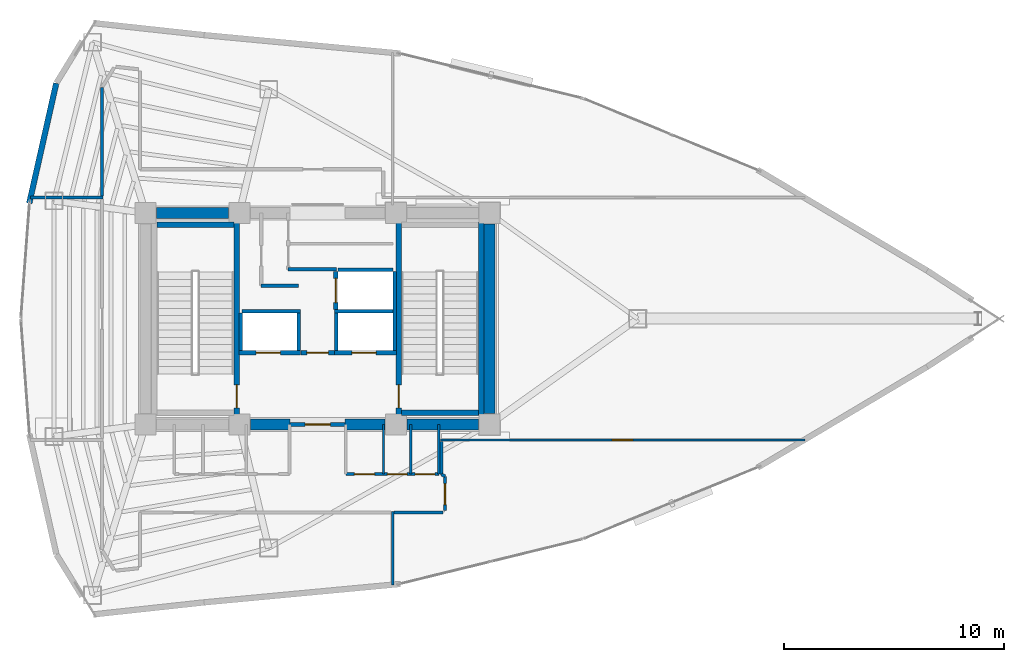
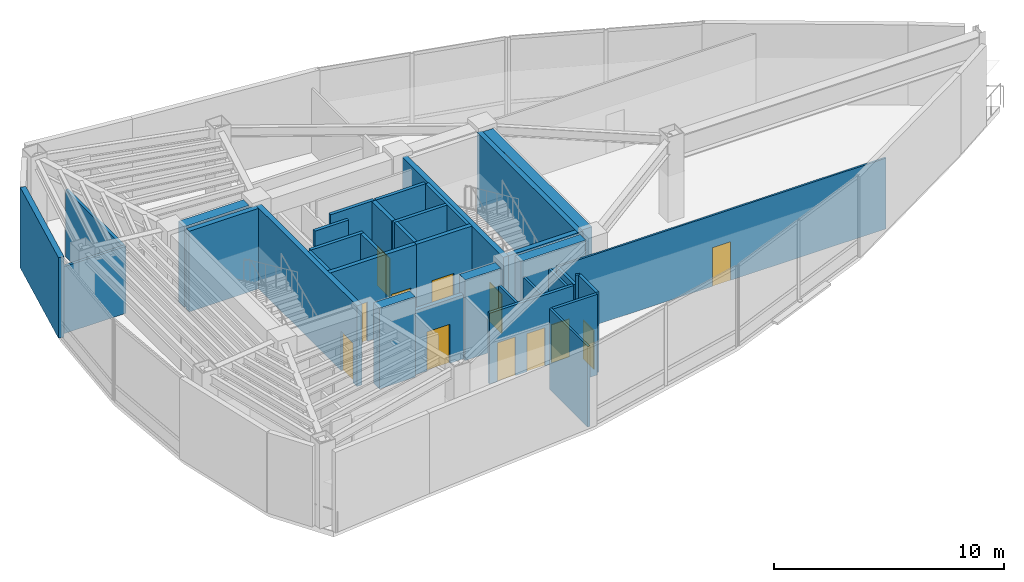
# One storey, part 14 of 17: 37 walls, 12 doors, 12 openings.
"""IFC4 building model written with IfcOpenShell, lengths in metres."""

from ifc_helpers import new_model, si_unit, direction, frame, frame_2d, origin, place, context, subcontext, project, spatial, rectangle, extrude, material, layer, layer_set, type_object, element, fill, save


model = new_model("IFC4")

# Units and contexts
model_context = context("Model", 3, precision=1e-05, world=origin(), true_north=direction((0.0, 1.0)))
body_context = subcontext(model_context, "Body", "Model", "MODEL_VIEW")
ifc_project = project(units=[si_unit("LENGTHUNIT", "METRE"), si_unit("AREAUNIT", "SQUARE_METRE"), si_unit("VOLUMEUNIT", "CUBIC_METRE"), si_unit("PLANEANGLEUNIT", "RADIAN"), si_unit("MASSUNIT", "GRAM", prefix="KILO")], contexts=[model_context])

# Site, building, storey
site_placement = place(None, origin())
site = spatial("IfcSite", under=ifc_project, at=site_placement, CompositionType="ELEMENT")
building_placement = place(site_placement, origin())
building = spatial("IfcBuilding", under=site, at=building_placement, Name="Menara Vayukalpa", CompositionType="ELEMENT")
storey_placement = place(building_placement, frame((0.0, 0.0, 242.639892578125)))
storey = spatial("IfcBuildingStorey", under=building, at=storey_placement, Name="L61", CompositionType="ELEMENT", Elevation=242.639892578125)

# Walls
ifc_material_1 = material(Name="Concrete C60/75", Category="concrete")
ifc_layer_1 = layer(ifc_material_1, 0.5)
ifc_layer_set_1 = layer_set([ifc_layer_1], Name="Concrete C60/75")
wall_type_1 = type_object("IfcWallType", Name="WAL-CW500", PredefinedType="SHEAR", material=ifc_layer_set_1)
wall_1_placement = place(storey_placement, frame((22.544921875, 17.199951171875, 0.0), z_axis=(0.0, 0.0, 1.0), x_axis=(1.0, 0.0, 0.0)))
element("IfcWall", 1, at=wall_1_placement, inside=storey, type_object=wall_type_1, Name="L61 Buttressed Core Shear Wall CWS2", PredefinedType="SHEAR", context=body_context, shape_type="SweptSolid", body=[
    extrude(rectangle(XDim=1.80517578125, YDim=0.5, at=frame_2d((0.902587890625, 0.0))), origin(), (0.0, 0.0, 1.0), 4.280029296875),
])
wall_2_placement = place(storey_placement, frame((26.85009765625, 17.199951171875, 0.0), z_axis=(0.0, 0.0, 1.0), x_axis=(1.0, 0.0, 0.0)))
element("IfcWall", 2, at=wall_2_placement, inside=storey, type_object=wall_type_1, Name="L61 Buttressed Core Shear Wall CWS3", PredefinedType="SHEAR", context=body_context, shape_type="SweptSolid", body=[
    extrude(rectangle(XDim=1.804931640625, YDim=0.5, at=frame_2d((0.90234375, 0.0))), origin(), (0.0, 0.0, 1.0), 4.280029296875),
])
for number, where, z_axis, x_axis, name in (
    (3, (29.64501953125, 17.199951171875, 0.0), (0.0, 0.0, 1.0), (1.0, 0.0, 0.0), "L61 Buttressed Core Shear Wall CWS4"),
    (4, (18.294921875, 26.800048828125, 0.0), (0.0, 0.0, 1.0), (1.0, 0.0, 0.0), "L61 Buttressed Core Shear Wall CWN1"),
):
    element("IfcWall", number, at=place(storey_placement, frame(where, z_axis=z_axis, x_axis=x_axis)), inside=storey, type_object=wall_type_1, Name=name, PredefinedType="SHEAR", context=body_context, shape_type="SweptSolid", body=[
        extrude(rectangle(XDim=3.260009765625, YDim=0.5, at=frame_2d((1.6298828125, 0.0))), origin(), (0.0, 0.0, 1.0), 4.280029296875),
    ])
wall_3_placement = place(storey_placement, frame((33.39990234375, 17.695068359375, 0.0), z_axis=(0.0, 0.0, 1.0), x_axis=(0.0, 1.0, 0.0)))
element("IfcWall", 5, at=wall_3_placement, inside=storey, type_object=wall_type_1, Name="L61 Buttressed Core Shear Wall CWE1", PredefinedType="SHEAR", context=body_context, shape_type="SweptSolid", body=[
    extrude(rectangle(XDim=8.60986328125, YDim=0.5, at=frame_2d((4.304931640625, 0.0))), origin(), (0.0, 0.0, 1.0), 4.280029296875),
])
ifc_material_2 = material(Name="Insulated Precast Concrete C40/50", Category="concrete")
ifc_layer_2 = layer(ifc_material_2, 0.260009765625)
ifc_layer_set_2 = layer_set([ifc_layer_2], Name="Insulated Precast Concrete C40/50")
wall_type_2 = type_object("IfcWallType", Name="WAL-EXT260", PredefinedType="PARTITIONING", material=ifc_layer_set_2)
wall_4_placement = place(storey_placement, frame((12.514892578125, 27.239501953125, 0.0), z_axis=(0.0, 0.0, 1.0), x_axis=(0.219510112872, 0.975610224601, 0.0)))
element("IfcWall", 6, at=wall_4_placement, inside=storey, type_object=wall_type_2, Name="L61 Perimeter Terracotta Pier Wall 09", PredefinedType="PARTITIONING", context=body_context, shape_type="SweptSolid", body=[
    extrude(rectangle(XDim=5.579833984375, YDim=0.260009765625, at=frame_2d((2.7900390625, 0.0))), origin(), (0.0, 0.0, 1.0), 4.280029296875),
])
ifc_material_3 = material(Name="Lightweight Concrete Blockwork C16/20", Category="masonry")
ifc_layer_3 = layer(ifc_material_3, 0.159912109375)
ifc_layer_set_3 = layer_set([ifc_layer_3], Name="Lightweight Concrete Blockwork C16/20")
wall_type_3 = type_object("IfcWallType", Name="WAL-FR150", PredefinedType="PARTITIONING", material=ifc_layer_set_3)
for number, where, z_axis, x_axis, name in (
    (7, (22.10498046875, 20.56005859375, 0.0), (0.0, 0.0, 1.0), (0.0, 1.0, 0.0), "L61 Interior Partition IW-L61-SHW-WW"),
    (8, (24.7548828125, 20.56005859375, 0.0), (0.0, 0.0, 1.0), (0.0, 1.0, 0.0), "L61 Interior Partition IW-L61-SHW-W1E"),
):
    element("IfcWall", number, at=place(storey_placement, frame(where, z_axis=z_axis, x_axis=x_axis)), inside=storey, type_object=wall_type_3, Name=name, PredefinedType="PARTITIONING", context=body_context, shape_type="SweptSolid", body=[
        extrude(rectangle(XDim=1.7099609375, YDim=0.159912109375, at=frame_2d((0.85498046875, 0.0))), origin(), (0.0, 0.0, 1.0), 4.280029296875),
    ])
wall_5_placement = place(storey_placement, frame((22.179931640625, 22.344970703125, 0.0), z_axis=(0.0, 0.0, 1.0), x_axis=(1.0, 0.0, 0.0)))
element("IfcWall", 9, at=wall_5_placement, inside=storey, type_object=wall_type_3, Name="L61 Interior Partition IW-L61-SHM-W12", PredefinedType="PARTITIONING", context=body_context, shape_type="SweptSolid", body=[
    extrude(rectangle(XDim=2.650146484375, YDim=0.159912109375, at=frame_2d((1.3251953125, 0.0))), origin(), (0.0, 0.0, 1.0), 4.280029296875),
])
wall_6_placement = place(storey_placement, frame((29.094970703125, 20.56005859375, 0.0), z_axis=(0.0, 0.0, 1.0), x_axis=(0.0, 1.0, 0.0)))
element("IfcWall", 10, at=wall_6_placement, inside=storey, type_object=wall_type_3, Name="L61 Interior Partition IW-L61-SHW-EE", PredefinedType="PARTITIONING", context=body_context, shape_type="SweptSolid", body=[
    extrude(rectangle(XDim=3.579833984375, YDim=0.159912109375, at=frame_2d((1.7900390625, 0.0))), origin(), (0.0, 0.0, 1.0), 4.280029296875),
])
wall_7_placement = place(storey_placement, frame((26.445068359375, 20.56005859375, 0.0), z_axis=(0.0, 0.0, 1.0), x_axis=(0.0, 1.0, 0.0)))
element("IfcWall", 11, at=wall_7_placement, inside=storey, type_object=wall_type_3, Name="L61 Interior Partition IW-L61-SHW-E1W", PredefinedType="PARTITIONING", context=body_context, shape_type="SweptSolid", body=[
    extrude(rectangle(XDim=1.7099609375, YDim=0.159912109375, at=frame_2d((0.85498046875, 0.0))), origin(), (0.0, 0.0, 1.0), 4.280029296875),
])
wall_8_placement = place(storey_placement, frame((26.3701171875, 22.344970703125, 0.0), z_axis=(0.0, 0.0, 1.0), x_axis=(1.0, 0.0, 0.0)))
element("IfcWall", 12, at=wall_8_placement, inside=storey, type_object=wall_type_3, Name="L61 Interior Partition IW-L61-SHM-E13", PredefinedType="PARTITIONING", context=body_context, shape_type="SweptSolid", body=[
    extrude(rectangle(XDim=2.64990234375, YDim=0.159912109375, at=frame_2d((1.324951171875, 0.0))), origin(), (0.0, 0.0, 1.0), 4.280029296875),
])
wall_9_placement = place(storey_placement, frame((26.530029296875, 24.215087890625, 0.0), z_axis=(0.0, 0.0, 1.0), x_axis=(1.0, 0.0, 0.0)))
element("IfcWall", 13, at=wall_9_placement, inside=storey, type_object=wall_type_3, Name="L61 Interior Partition IW-L61-SHM-E32", PredefinedType="PARTITIONING", context=body_context, shape_type="SweptSolid", body=[
    extrude(rectangle(XDim=2.489990234375, YDim=0.159912109375, at=frame_2d((1.2451171875, 0.0))), origin(), (0.0, 0.0, 1.0), 4.280029296875),
])
wall_10_placement = place(storey_placement, frame((23.0400390625, 23.5, 0.0), z_axis=(0.0, 0.0, 1.0), x_axis=(1.0, 0.0, 0.0)))
element("IfcWall", 14, at=wall_10_placement, inside=storey, type_object=wall_type_3, Name="L61 Interior Partition IW-L61-LV7WA", PredefinedType="PARTITIONING", context=body_context, shape_type="SweptSolid", body=[
    extrude(rectangle(XDim=1.699951171875, YDim=0.159912109375, at=frame_2d((0.85009765625, 0.0))), origin(), (0.0, 0.0, 1.0), 4.280029296875),
])
wall_11_placement = place(storey_placement, frame((24.260009765625, 24.239990234375, 0.0), z_axis=(0.0, 0.0, 1.0), x_axis=(1.0, 0.0, 0.0)))
element("IfcWall", 15, at=wall_11_placement, inside=storey, type_object=wall_type_3, Name="L61 Interior Partition IW-L61-LV7EA", PredefinedType="PARTITIONING", context=body_context, shape_type="SweptSolid", body=[
    extrude(rectangle(XDim=2.199951171875, YDim=0.159912109375, at=frame_2d((1.10009765625, 0.0))), origin(), (0.0, 0.0, 1.0), 4.280029296875),
])

# Wall, opening, door
ifc_material_4 = material(Name="Lightweight Concrete Blockwork C16/20", Category="masonry")
ifc_layer_4 = layer(ifc_material_4, 0.199951171875)
ifc_layer_set_4 = layer_set([ifc_layer_4], Name="Lightweight Concrete Blockwork C16/20")
wall_type_4 = type_object("IfcWallType", Name="WAL-FR200", PredefinedType="PARTITIONING", material=ifc_layer_set_4)
wall_12_placement = place(storey_placement, frame((24.35009765625, 17.199951171875, 0.0), z_axis=(0.0, 0.0, 1.0), x_axis=(1.0, 0.0, 0.0)))
wall_12 = element("IfcWall", 16, at=wall_12_placement, inside=storey, type_object=wall_type_4, Name="L61 Interior Partition IW-L61-FFLS", PredefinedType="PARTITIONING", context=body_context, shape_type="SweptSolid", body=[
    extrude(rectangle(XDim=2.5, YDim=0.199951171875, at=frame_2d((1.25, 0.0))), origin(), (0.0, 0.0, 1.0), 3.41015625),
])
opening_1_placement = place(wall_12_placement, frame((0.679931640625, 0.0, 0.0)))
opening_1 = element("IfcOpeningElement", 17, at=opening_1_placement, cuts=wall_12, Name="Opening ID2", PredefinedType="OPENING", context=body_context, shape_type="SweptSolid", body=[
    extrude(rectangle(XDim=1.14990234375, YDim=2.080078125, at=frame_2d((0.574951171875, 1.0400390625))), frame((0.0, 0.10986328125, 0.0), z_axis=(0.0, -1.0, 0.0), x_axis=(1.0, 0.0, 0.0)), (0.0, 0.0, 1.0), 0.219970703125),
])
ifc_material_5 = material(Name="Fire-Rated Powder-Coated Steel Door", Category="steel")
door_type_1 = type_object("IfcDoorType", Name="DR-FD60W", OperationType="NOTDEFINED", PredefinedType="DOOR", material=ifc_material_5)
door_1_placement = place(opening_1_placement, origin())
door_1 = element("IfcDoor", 18, at=door_1_placement, inside=storey, type_object=door_type_1, Name="L61 Interior Door DR-L61-FFLS", OperationType="SINGLE_SWING_LEFT", OverallHeight=2.080078125, OverallWidth=1.14990234375, PredefinedType="DOOR", context=body_context, shape_type="SweptSolid", body=[
    extrude(rectangle(XDim=1.14990234375, YDim=2.080078125, at=frame_2d((0.574951171875, 1.0400390625))), frame((0.0, 0.02490234375, 0.0), z_axis=(0.0, -1.0, 0.0), x_axis=(1.0, 0.0, 0.0)), (0.0, 0.0, 1.0), 0.050048828125),
])
fill(opening_1, door_1)

wall_13_placement = place(storey_placement, frame((24.840087890625, 20.449951171875, 0.0), z_axis=(0.0, 0.0, 1.0), x_axis=(1.0, 0.0, 0.0)))
wall_13 = element("IfcWall", 19, at=wall_13_placement, inside=storey, type_object=wall_type_4, Name="L61 Interior Partition IW-L61-FFLN", PredefinedType="PARTITIONING", context=body_context, shape_type="SweptSolid", body=[
    extrude(rectangle(XDim=1.52001953125, YDim=0.199951171875, at=frame_2d((0.760009765625, 0.0))), origin(), (0.0, 0.0, 1.0), 4.280029296875),
])
opening_2_placement = place(wall_13_placement, frame((0.27001953125, 0.0, 0.0)))
opening_2 = element("IfcOpeningElement", 20, at=opening_2_placement, cuts=wall_13, Name="Opening ID3", PredefinedType="OPENING", context=body_context, shape_type="SweptSolid", body=[
    extrude(rectangle(XDim=0.97998046875, YDim=2.06005859375, at=frame_2d((0.489990234375, 1.030029296875))), frame((0.0, 0.10986328125, 0.0), z_axis=(0.0, -1.0, 0.0), x_axis=(1.0, 0.0, 0.0)), (0.0, 0.0, 1.0), 0.219970703125),
])
ifc_material_6 = material(Name="Fire-Rated Powder-Coated Steel Door", Category="steel")
door_type_2 = type_object("IfcDoorType", Name="DR-FD60", OperationType="NOTDEFINED", PredefinedType="DOOR", material=ifc_material_6)
door_2_placement = place(opening_2_placement, origin())
door_2 = element("IfcDoor", 21, at=door_2_placement, inside=storey, type_object=door_type_2, Name="L61 Interior Door DR-L61-FFLN", OperationType="SINGLE_SWING_RIGHT", OverallHeight=2.06005859375, OverallWidth=0.97998046875, PredefinedType="DOOR", context=body_context, shape_type="SweptSolid", body=[
    extrude(rectangle(XDim=0.97998046875, YDim=2.06005859375, at=frame_2d((0.489990234375, 1.030029296875))), frame((0.0, 0.02490234375, 0.0), z_axis=(0.0, -1.0, 0.0), x_axis=(1.0, 0.0, 0.0)), (0.0, 0.0, 1.0), 0.050048828125),
])
fill(opening_2, door_2)

wall_14_placement = place(storey_placement, frame((22.030029296875, 20.449951171875, 0.0), z_axis=(0.0, 0.0, 1.0), x_axis=(1.0, 0.0, 0.0)))
wall_14 = element("IfcWall", 22, at=wall_14_placement, inside=storey, type_object=wall_type_4, Name="L61 Interior Partition IW-L61-SH-W1", PredefinedType="PARTITIONING", context=body_context, shape_type="SweptSolid", body=[
    extrude(rectangle(XDim=2.800048828125, YDim=0.199951171875, at=frame_2d((1.39990234375, 0.0))), origin(), (0.0, 0.0, 1.0), 4.280029296875),
])
opening_3_placement = place(wall_14_placement, frame((0.780029296875, 0.0, 0.0)))
opening_3 = element("IfcOpeningElement", 23, at=opening_3_placement, cuts=wall_14, Name="Opening LD1", PredefinedType="OPENING", context=body_context, shape_type="SweptSolid", body=[
    extrude(rectangle(XDim=1.10009765625, YDim=2.080078125, at=frame_2d((0.550048828125, 1.0400390625))), frame((0.0, 0.10986328125, 0.0), z_axis=(0.0, -1.0, 0.0), x_axis=(1.0, 0.0, 0.0)), (0.0, 0.0, 1.0), 0.219970703125),
])
ifc_material_7 = material(Name="Brushed Stainless Steel 316 Lift Door", Category="steel")
door_type_3 = type_object("IfcDoorType", Name="DR-LD110", OperationType="NOTDEFINED", PredefinedType="DOOR", material=ifc_material_7)
door_3_placement = place(opening_3_placement, origin())
door_3 = element("IfcDoor", 24, at=door_3_placement, inside=storey, type_object=door_type_3, Name="L61 Interior Door DR-L61-LD-W1", OperationType="DOUBLE_DOOR_SLIDING", OverallHeight=2.080078125, OverallWidth=1.10009765625, PredefinedType="DOOR", context=body_context, shape_type="SweptSolid", body=[
    extrude(rectangle(XDim=1.10009765625, YDim=2.080078125, at=frame_2d((0.550048828125, 1.0400390625))), frame((0.0, 0.02490234375, 0.0), z_axis=(0.0, -1.0, 0.0), x_axis=(1.0, 0.0, 0.0)), (0.0, 0.0, 1.0), 0.050048828125),
])
fill(opening_3, door_3)

wall_15_placement = place(storey_placement, frame((26.3701171875, 20.449951171875, 0.0), z_axis=(0.0, 0.0, 1.0), x_axis=(1.0, 0.0, 0.0)))
wall_15 = element("IfcWall", 25, at=wall_15_placement, inside=storey, type_object=wall_type_4, Name="L61 Interior Partition IW-L61-SH-E1", PredefinedType="PARTITIONING", context=body_context, shape_type="SweptSolid", body=[
    extrude(rectangle(XDim=2.7998046875, YDim=0.199951171875, at=frame_2d((1.39990234375, 0.0))), origin(), (0.0, 0.0, 1.0), 4.280029296875),
])
opening_4_placement = place(wall_15_placement, frame((0.780029296875, 0.0, 0.0)))
opening_4 = element("IfcOpeningElement", 26, at=opening_4_placement, cuts=wall_15, Name="Opening LD1", PredefinedType="OPENING", context=body_context, shape_type="SweptSolid", body=[
    extrude(rectangle(XDim=1.10009765625, YDim=2.080078125, at=frame_2d((0.550048828125, 1.0400390625))), frame((0.0, 0.10986328125, 0.0), z_axis=(0.0, -1.0, 0.0), x_axis=(1.0, 0.0, 0.0)), (0.0, 0.0, 1.0), 0.219970703125),
])
door_4_placement = place(opening_4_placement, origin())
door_4 = element("IfcDoor", 27, at=door_4_placement, inside=storey, type_object=door_type_3, Name="L61 Interior Door DR-L61-LD-E1", OperationType="DOUBLE_DOOR_SLIDING", OverallHeight=2.080078125, OverallWidth=1.10009765625, PredefinedType="DOOR", context=body_context, shape_type="SweptSolid", body=[
    extrude(rectangle(XDim=1.10009765625, YDim=2.080078125, at=frame_2d((0.550048828125, 1.0400390625))), frame((0.0, 0.02490234375, 0.0), z_axis=(0.0, -1.0, 0.0), x_axis=(1.0, 0.0, 0.0)), (0.0, 0.0, 1.0), 0.050048828125),
])
fill(opening_4, door_4)

wall_16_placement = place(storey_placement, frame((26.419921875, 22.419921875, 0.0), z_axis=(0.0, 0.0, 1.0), x_axis=(0.0, 1.0, 0.0)))
wall_16 = element("IfcWall", 28, at=wall_16_placement, inside=storey, type_object=wall_type_4, Name="L61 Interior Partition IW-L61-SH-E3", PredefinedType="PARTITIONING", context=body_context, shape_type="SweptSolid", body=[
    extrude(rectangle(XDim=1.719970703125, YDim=0.199951171875, at=frame_2d((0.85986328125, 0.0))), origin(), (0.0, 0.0, 1.0), 4.280029296875),
])
opening_5_placement = place(wall_16_placement, frame((0.31005859375, 0.0, 0.0)))
opening_5 = element("IfcOpeningElement", 29, at=opening_5_placement, cuts=wall_16, Name="Opening LD1", PredefinedType="OPENING", context=body_context, shape_type="SweptSolid", body=[
    extrude(rectangle(XDim=1.10009765625, YDim=2.080078125, at=frame_2d((0.550048828125, 1.0400390625))), frame((0.0, 0.10986328125, 0.0), z_axis=(0.0, -1.0, 0.0), x_axis=(1.0, 0.0, 0.0)), (0.0, 0.0, 1.0), 0.219970703125),
])
door_5_placement = place(opening_5_placement, origin())
door_5 = element("IfcDoor", 30, at=door_5_placement, inside=storey, type_object=door_type_3, Name="L61 Interior Door DR-L61-LD-E3", OperationType="DOUBLE_DOOR_SLIDING", OverallHeight=2.080078125, OverallWidth=1.10009765625, PredefinedType="DOOR", context=body_context, shape_type="SweptSolid", body=[
    extrude(rectangle(XDim=1.10009765625, YDim=2.080078125, at=frame_2d((0.550048828125, 1.0400390625))), frame((0.0, 0.02490234375, 0.0), z_axis=(0.0, -1.0, 0.0), x_axis=(1.0, 0.0, 0.0)), (0.0, 0.0, 1.0), 0.050048828125),
])
fill(opening_5, door_5)

ifc_material_8 = material(Name="Glazed Demountable Office Partition", Category="glass")
ifc_layer_5 = layer(ifc_material_8, 0.094970703125)
ifc_layer_set_5 = layer_set([ifc_layer_5], Name="Glazed Demountable Office Partition")
wall_type_5 = type_object("IfcWallType", Name="WAL-PT100", PredefinedType="PARTITIONING", material=ifc_layer_set_5)
wall_17_placement = place(storey_placement, frame((31.169921875, 16.5, 0.0), z_axis=(0.0, 0.0, 1.0), x_axis=(1.0, 0.0, 0.0)))
wall_17 = element("IfcWall", 31, at=wall_17_placement, inside=storey, type_object=wall_type_5, Name="L61 Interior Partition IW-L61-RDIV04", PredefinedType="PARTITIONING", context=body_context, shape_type="SweptSolid", body=[
    extrude(rectangle(XDim=16.5341796875, YDim=0.094970703125, at=frame_2d((8.26708984375, 0.0))), origin(), (0.0, 0.0, 1.0), 3.760009765625),
])
opening_6_placement = place(wall_17_placement, frame((7.80712890625, 0.0, 0.0)))
opening_6 = element("IfcOpeningElement", 32, at=opening_6_placement, cuts=wall_17, Name="Opening ID6", PredefinedType="OPENING", context=body_context, shape_type="SweptSolid", body=[
    extrude(rectangle(XDim=0.919921875, YDim=2.050048828125, at=frame_2d((0.4599609375, 1.02490234375))), frame((0.0, 0.057373046875, 0.0), z_axis=(0.0, -1.0, 0.0), x_axis=(1.0, 0.0, 0.0)), (0.0, 0.0, 1.0), 0.114990234375),
])
ifc_material_9 = material(Name="Acoustic Hardwood Veneer Timber Door", Category="wood")
door_type_4 = type_object("IfcDoorType", Name="DR-INT92", OperationType="NOTDEFINED", PredefinedType="DOOR", material=ifc_material_9)
door_6_placement = place(opening_6_placement, origin())
door_6 = element("IfcDoor", 33, at=door_6_placement, inside=storey, type_object=door_type_4, Name="L61 Interior Door DR-L61-STE04", OperationType="SINGLE_SWING_RIGHT", OverallHeight=2.050048828125, OverallWidth=0.919921875, PredefinedType="DOOR", context=body_context, shape_type="SweptSolid", body=[
    extrude(rectangle(XDim=0.919921875, YDim=2.050048828125, at=frame_2d((0.4599609375, 1.02490234375))), frame((0.0, 0.02490234375, 0.0), z_axis=(0.0, -1.0, 0.0), x_axis=(1.0, 0.0, 0.0)), (0.0, 0.0, 1.0), 0.050048828125),
])
fill(opening_6, door_6)

# Walls
ifc_material_10 = material(Name="Acoustic Mineral Stud Partition", Category="masonry")
ifc_layer_6 = layer(ifc_material_10, 0.110107421875)
ifc_layer_set_6 = layer_set([ifc_layer_6], Name="Acoustic Mineral Stud Partition")
wall_type_6 = type_object("IfcWallType", Name="WAL-PT110", PredefinedType="PARTITIONING", material=ifc_layer_set_6)
wall_18_placement = place(storey_placement, frame((28.590087890625, 14.949951171875, 0.0), z_axis=(0.0, 0.0, 1.0), x_axis=(0.0, 1.0, 0.0)))
element("IfcWall", 34, at=wall_18_placement, inside=storey, type_object=wall_type_6, Name="L61 Interior Partition IW-L61-SVCD-06", PredefinedType="PARTITIONING", context=body_context, shape_type="SweptSolid", body=[
    extrude(rectangle(XDim=2.25, YDim=0.110107421875, at=frame_2d((1.125, 0.0))), origin(), (0.0, 0.0, 1.0), 3.41015625),
])
wall_19_placement = place(storey_placement, frame((29.0, 9.91650390625, 0.0), z_axis=(0.0, 0.0, 1.0), x_axis=(0.0, 1.0, 0.0)))
element("IfcWall", 35, at=wall_19_placement, inside=storey, type_object=wall_type_6, Name="L61 Interior Partition IW-L61-RDIV01", PredefinedType="PARTITIONING", context=body_context, shape_type="SweptSolid", body=[
    extrude(rectangle(XDim=3.343505859375, YDim=0.110107421875, at=frame_2d((1.671875, 0.0))), origin(), (0.0, 0.0, 1.0), 4.280029296875),
])
ifc_material_11 = material(Name="Gypsum Drywall Steel Stud Assembly", Category="steel")
ifc_layer_7 = layer(ifc_material_11, 0.125)
ifc_layer_set_7 = layer_set([ifc_layer_7], Name="Gypsum Drywall Steel Stud Assembly")
wall_type_7 = type_object("IfcWallType", Name="WAL-PT125", PredefinedType="PARTITIONING", material=ifc_layer_set_7)
for number, where, z_axis, x_axis, name in (
    (36, (29.830078125, 14.949951171875, 0.0), (0.0, 0.0, 1.0), (0.0, 1.0, 0.0), "L61 Interior Partition IW-L61-SVCD-07"),
    (37, (31.10009765625, 14.949951171875, 0.0), (0.0, 0.0, 1.0), (0.0, 1.0, 0.0), "L61 Interior Partition IW-L61-SVCD-08"),
):
    element("IfcWall", number, at=place(storey_placement, frame(where, z_axis=z_axis, x_axis=x_axis)), inside=storey, type_object=wall_type_7, Name=name, PredefinedType="PARTITIONING", context=body_context, shape_type="SweptSolid", body=[
        extrude(rectangle(XDim=2.25, YDim=0.125, at=frame_2d((1.125, 0.0))), origin(), (0.0, 0.0, 1.0), 3.41015625),
    ])
wall_20_placement = place(storey_placement, frame((12.563232421875, 27.5, 0.0), z_axis=(0.0, 0.0, 1.0), x_axis=(1.0, 0.0, 0.0)))
element("IfcWall", 38, at=wall_20_placement, inside=storey, type_object=wall_type_7, Name="L61 Interior Partition IW-L61-RDIV05", PredefinedType="PARTITIONING", context=body_context, shape_type="SweptSolid", body=[
    extrude(rectangle(XDim=3.306884765625, YDim=0.125, at=frame_2d((1.6533203125, 0.0))), origin(), (0.0, 0.0, 1.0), 3.56005859375),
])

# Wall, openings, doors
ifc_material_12 = material(Name="Gypsum Drywall Acoustic Stud Assembly", Category="masonry")
ifc_layer_8 = layer(ifc_material_12, 0.14501953125)
ifc_layer_set_8 = layer_set([ifc_layer_8], Name="Gypsum Drywall Acoustic Stud Assembly")
wall_type_8 = type_object("IfcWallType", Name="WAL-PT150", PredefinedType="PARTITIONING", material=ifc_layer_set_8)
wall_21_placement = place(storey_placement, frame((26.8798828125, 14.949951171875, 0.0), z_axis=(0.0, 0.0, 1.0), x_axis=(1.0, 0.0, 0.0)))
wall_21 = element("IfcWall", 39, at=wall_21_placement, inside=storey, type_object=wall_type_8, Name="L61 Interior Partition IW-L61-SVCS-E", PredefinedType="PARTITIONING", context=body_context, shape_type="SweptSolid", body=[
    extrude(rectangle(XDim=4.22021484375, YDim=0.14501953125, at=frame_2d((2.110107421875, 0.0))), origin(), (0.0, 0.0, 1.0), 3.760009765625),
])
opening_7_placement = place(wall_21_placement, frame((0.389892578125, 0.0, 0.0)))
opening_7 = element("IfcOpeningElement", 40, at=opening_7_placement, cuts=wall_21, Name="Opening ID6", PredefinedType="OPENING", context=body_context, shape_type="SweptSolid", body=[
    extrude(rectangle(XDim=0.919921875, YDim=2.050048828125, at=frame_2d((0.4599609375, 1.02490234375))), frame((0.0, 0.08251953125, 0.0), z_axis=(0.0, -1.0, 0.0), x_axis=(1.0, 0.0, 0.0)), (0.0, 0.0, 1.0), 0.1650390625),
])
opening_8_placement = place(wall_21_placement, frame((1.8798828125, 0.0, 0.0)))
opening_8 = element("IfcOpeningElement", 41, at=opening_8_placement, cuts=wall_21, Name="Opening ID7", PredefinedType="OPENING", context=body_context, shape_type="SweptSolid", body=[
    extrude(rectangle(XDim=0.89990234375, YDim=2.02001953125, at=frame_2d((0.449951171875, 1.010009765625))), frame((0.0, 0.08251953125, 0.0), z_axis=(0.0, -1.0, 0.0), x_axis=(1.0, 0.0, 0.0)), (0.0, 0.0, 1.0), 0.1650390625),
])
opening_9_placement = place(wall_21_placement, frame((3.139892578125, 0.0, 0.0)))
opening_9 = element("IfcOpeningElement", 42, at=opening_9_placement, cuts=wall_21, Name="Opening ID7", PredefinedType="OPENING", context=body_context, shape_type="SweptSolid", body=[
    extrude(rectangle(XDim=0.89990234375, YDim=2.02001953125, at=frame_2d((0.449951171875, 1.010009765625))), frame((0.0, 0.08251953125, 0.0), z_axis=(0.0, -1.0, 0.0), x_axis=(1.0, 0.0, 0.0)), (0.0, 0.0, 1.0), 0.1650390625),
])
door_7_placement = place(opening_7_placement, origin())
door_7 = element("IfcDoor", 43, at=door_7_placement, inside=storey, type_object=door_type_4, Name="L61 Interior Door DR-L61-KSV1", OperationType="SINGLE_SWING_LEFT", OverallHeight=2.050048828125, OverallWidth=0.919921875, PredefinedType="DOOR", context=body_context, shape_type="SweptSolid", body=[
    extrude(rectangle(XDim=0.919921875, YDim=2.050048828125, at=frame_2d((0.4599609375, 1.02490234375))), frame((0.0, 0.02490234375, 0.0), z_axis=(0.0, -1.0, 0.0), x_axis=(1.0, 0.0, 0.0)), (0.0, 0.0, 1.0), 0.050048828125),
])
fill(opening_7, door_7)
ifc_material_13 = material(Name="Powder-Coated Steel Riser Access Door", Category="steel")
door_type_5 = type_object("IfcDoorType", Name="DR-RISER", OperationType="NOTDEFINED", PredefinedType="DOOR", material=ifc_material_13)
door_8_placement = place(opening_8_placement, origin())
door_8 = element("IfcDoor", 44, at=door_8_placement, inside=storey, type_object=door_type_5, Name="L61 Interior Door DR-L61-KSV2", OperationType="SINGLE_SWING_RIGHT", OverallHeight=2.02001953125, OverallWidth=0.89990234375, PredefinedType="DOOR", context=body_context, shape_type="SweptSolid", body=[
    extrude(rectangle(XDim=0.89990234375, YDim=2.02001953125, at=frame_2d((0.449951171875, 1.010009765625))), frame((0.0, 0.02490234375, 0.0), z_axis=(0.0, -1.0, 0.0), x_axis=(1.0, 0.0, 0.0)), (0.0, 0.0, 1.0), 0.050048828125),
])
fill(opening_8, door_8)
door_9_placement = place(opening_9_placement, origin())
door_9 = element("IfcDoor", 45, at=door_9_placement, inside=storey, type_object=door_type_5, Name="L61 Interior Door DR-L61-SMD", OperationType="SINGLE_SWING_LEFT", OverallHeight=2.02001953125, OverallWidth=0.89990234375, PredefinedType="DOOR", context=body_context, shape_type="SweptSolid", body=[
    extrude(rectangle(XDim=0.89990234375, YDim=2.02001953125, at=frame_2d((0.449951171875, 1.010009765625))), frame((0.0, 0.02490234375, 0.0), z_axis=(0.0, -1.0, 0.0), x_axis=(1.0, 0.0, 0.0)), (0.0, 0.0, 1.0), 0.050048828125),
])
fill(opening_9, door_9)

# Wall
wall_22_placement = place(storey_placement, frame((29.070068359375, 13.2099609375, 0.0), z_axis=(0.0, 0.0, 1.0), x_axis=(1.0, 0.0, 0.0)))
element("IfcWall", 46, at=wall_22_placement, inside=storey, type_object=wall_type_8, Name="L61 Interior Partition IW-L61-CRM03-1", PredefinedType="PARTITIONING", context=body_context, shape_type="SweptSolid", body=[
    extrude(rectangle(XDim=2.22998046875, YDim=0.14501953125, at=frame_2d((1.114990234375, 0.0))), origin(), (0.0, 0.0, 1.0), 4.280029296875),
])

# Wall, opening, door
wall_23_placement = place(storey_placement, frame((31.3798828125, 13.2900390625, 0.0), z_axis=(0.0, 0.0, 1.0), x_axis=(0.0, 1.0, 0.0)))
wall_23 = element("IfcWall", 47, at=wall_23_placement, inside=storey, type_object=wall_type_8, Name="L61 Interior Partition IW-L61-CRM03-2", PredefinedType="PARTITIONING", context=body_context, shape_type="SweptSolid", body=[
    extrude(rectangle(XDim=1.56005859375, YDim=0.14501953125, at=frame_2d((0.780029296875, 0.0))), origin(), (0.0, 0.0, 1.0), 4.280029296875),
])
opening_10_placement = place(wall_23_placement, frame((0.280029296875, 0.0, 0.0)))
opening_10 = element("IfcOpeningElement", 48, at=opening_10_placement, cuts=wall_23, Name="Opening ID5", PredefinedType="OPENING", context=body_context, shape_type="SweptSolid", body=[
    extrude(rectangle(XDim=0.949951171875, YDim=2.06005859375, at=frame_2d((0.47509765625, 1.030029296875))), frame((0.0, 0.08251953125, 0.0), z_axis=(0.0, -1.0, 0.0), x_axis=(1.0, 0.0, 0.0)), (0.0, 0.0, 1.0), 0.1650390625),
])
ifc_material_14 = material(Name="Acoustic Hardwood Veneer Timber Door", Category="wood")
door_type_6 = type_object("IfcDoorType", Name="DR-INT95", OperationType="NOTDEFINED", PredefinedType="DOOR", material=ifc_material_14)
door_10_placement = place(opening_10_placement, origin())
door_10 = element("IfcDoor", 49, at=door_10_placement, inside=storey, type_object=door_type_6, Name="L61 Interior Door DR-L61-RM03", OperationType="SINGLE_SWING_LEFT", OverallHeight=2.06005859375, OverallWidth=0.949951171875, PredefinedType="DOOR", context=body_context, shape_type="SweptSolid", body=[
    extrude(rectangle(XDim=0.949951171875, YDim=2.06005859375, at=frame_2d((0.47509765625, 1.030029296875))), frame((0.0, 0.02490234375, 0.0), z_axis=(0.0, -1.0, 0.0), x_axis=(1.0, 0.0, 0.0)), (0.0, 0.0, 1.0), 0.050048828125),
])
fill(opening_10, door_10)

# Walls
wall_24_placement = place(storey_placement, frame((31.219970703125, 14.929931640625, 0.0), z_axis=(0.0, 0.0, 1.0), x_axis=(0.0, 1.0, 0.0)))
element("IfcWall", 50, at=wall_24_placement, inside=storey, type_object=wall_type_8, Name="L61 Interior Partition IW-L61-CRM03-3", PredefinedType="PARTITIONING", context=body_context, shape_type="SweptSolid", body=[
    extrude(rectangle(XDim=1.5, YDim=0.14501953125, at=frame_2d((0.75, 0.0))), origin(), (0.0, 0.0, 1.0), 3.760009765625),
])
wall_25_placement = place(storey_placement, frame((15.820068359375, 32.4814453125, 0.0), z_axis=(0.0, 0.0, 1.0), x_axis=(0.0, -1.0, 0.0)))
element("IfcWall", 51, at=wall_25_placement, inside=storey, type_object=wall_type_8, Name="L61 Interior Partition IW-L61-CRM06-6", PredefinedType="PARTITIONING", context=body_context, shape_type="SweptSolid", body=[
    extrude(rectangle(XDim=4.911376953125, YDim=0.14501953125, at=frame_2d((2.45556640625, 0.0))), origin(), (0.0, 0.0, 1.0), 3.56005859375),
])
wall_26_placement = place(storey_placement, frame((31.3798828125, 14.85009765625, 0.0), z_axis=(0.0, 0.0, 1.0), x_axis=(-0.89470021502, 0.446667130247, 0.0)))
element("IfcWall", 52, at=wall_26_placement, inside=storey, type_object=wall_type_8, Name="L61 Interior Partition IW-L61-CRM03-2-R1", PredefinedType="PARTITIONING", context=body_context, shape_type="SweptSolid", body=[
    extrude(rectangle(XDim=0.1787109375, YDim=0.14501953125, at=frame_2d((0.08935546875, 0.0))), origin(), (0.0, 0.0, 1.0), 4.280029296875),
])

# Wall, opening, door
ifc_material_15 = material(Name="Concrete C50/60", Category="concrete")
ifc_layer_9 = layer(ifc_material_15, 0.25)
ifc_layer_set_9 = layer_set([ifc_layer_9], Name="Concrete C50/60")
wall_type_9 = type_object("IfcWallType", Name="WAL-SW250", PredefinedType="SHEAR", material=ifc_layer_set_9)
wall_27_placement = place(storey_placement, frame((21.925048828125, 17.60009765625, 0.0), z_axis=(0.0, 0.0, 1.0), x_axis=(0.0, 1.0, 0.0)))
wall_27 = element("IfcWall", 53, at=wall_27_placement, inside=storey, type_object=wall_type_9, Name="L61 ST1 Structural Stair Shaft Wall E", PredefinedType="SHEAR", context=body_context, shape_type="SweptSolid", body=[
    extrude(rectangle(XDim=8.7998046875, YDim=0.25, at=frame_2d((4.39990234375, 0.0))), origin(), (0.0, 0.0, 1.0), 4.280029296875),
])
opening_11_placement = place(wall_27_placement, frame((0.35009765625, 0.0, 0.0)))
opening_11 = element("IfcOpeningElement", 54, at=opening_11_placement, cuts=wall_27, Name="Opening ID1", PredefinedType="OPENING", context=body_context, shape_type="SweptSolid", body=[
    extrude(rectangle(XDim=1.050048828125, YDim=2.080078125, at=frame_2d((0.52490234375, 1.0400390625))), frame((0.0, 0.135009765625, 0.0), z_axis=(0.0, -1.0, 0.0), x_axis=(1.0, 0.0, 0.0)), (0.0, 0.0, 1.0), 0.27001953125),
])
ifc_material_16 = material(Name="Fire-Rated Powder-Coated Steel Door", Category="steel")
door_type_7 = type_object("IfcDoorType", Name="DR-FD120", OperationType="NOTDEFINED", PredefinedType="DOOR", material=ifc_material_16)
door_11_placement = place(opening_11_placement, origin())
door_11 = element("IfcDoor", 55, at=door_11_placement, inside=storey, type_object=door_type_7, Name="L61 Stair Exit Door DR-L61-ST1", OperationType="SINGLE_SWING_LEFT", OverallHeight=2.080078125, OverallWidth=1.050048828125, PredefinedType="DOOR", context=body_context, shape_type="SweptSolid", body=[
    extrude(rectangle(XDim=1.050048828125, YDim=2.080078125, at=frame_2d((0.52490234375, 1.0400390625))), frame((0.0, 0.02490234375, 0.0), z_axis=(0.0, -1.0, 0.0), x_axis=(1.0, 0.0, 0.0)), (0.0, 0.0, 1.0), 0.050048828125),
])
fill(opening_11, door_11)

# Wall
wall_28_placement = place(storey_placement, frame((18.303955078125, 26.27490234375, 0.0), z_axis=(0.0, 0.0, 1.0), x_axis=(1.0, 0.0, 0.0)))
element("IfcWall", 56, at=wall_28_placement, inside=storey, type_object=wall_type_9, Name="L61 ST1 Structural Stair Shaft Wall N", PredefinedType="SHEAR", context=body_context, shape_type="SweptSolid", body=[
    extrude(rectangle(XDim=3.49609375, YDim=0.25, at=frame_2d((1.748046875, 0.0))), origin(), (0.0, 0.0, 1.0), 4.280029296875),
])

# Wall, opening, door
wall_29_placement = place(storey_placement, frame((29.27490234375, 17.60009765625, 0.0), z_axis=(0.0, 0.0, 1.0), x_axis=(0.0, 1.0, 0.0)))
wall_29 = element("IfcWall", 57, at=wall_29_placement, inside=storey, type_object=wall_type_9, Name="L61 ST2 Structural Stair Shaft Wall W", PredefinedType="SHEAR", context=body_context, shape_type="SweptSolid", body=[
    extrude(rectangle(XDim=8.7998046875, YDim=0.25, at=frame_2d((4.39990234375, 0.0))), origin(), (0.0, 0.0, 1.0), 4.280029296875),
])
opening_12_placement = place(wall_29_placement, frame((0.35009765625, 0.0, 0.0)))
opening_12 = element("IfcOpeningElement", 58, at=opening_12_placement, cuts=wall_29, Name="Opening ID1", PredefinedType="OPENING", context=body_context, shape_type="SweptSolid", body=[
    extrude(rectangle(XDim=1.050048828125, YDim=2.080078125, at=frame_2d((0.52490234375, 1.0400390625))), frame((0.0, 0.135009765625, 0.0), z_axis=(0.0, -1.0, 0.0), x_axis=(1.0, 0.0, 0.0)), (0.0, 0.0, 1.0), 0.27001953125),
])
door_12_placement = place(opening_12_placement, origin())
door_12 = element("IfcDoor", 59, at=door_12_placement, inside=storey, type_object=door_type_7, Name="L61 Stair Exit Door DR-L61-ST2", OperationType="SINGLE_SWING_RIGHT", OverallHeight=2.080078125, OverallWidth=1.050048828125, PredefinedType="DOOR", context=body_context, shape_type="SweptSolid", body=[
    extrude(rectangle(XDim=1.050048828125, YDim=2.080078125, at=frame_2d((0.52490234375, 1.0400390625))), frame((0.0, 0.02490234375, 0.0), z_axis=(0.0, -1.0, 0.0), x_axis=(1.0, 0.0, 0.0)), (0.0, 0.0, 1.0), 0.050048828125),
])
fill(opening_12, door_12)

# Walls
wall_30_placement = place(storey_placement, frame((33.02099609375, 17.60009765625, 0.0), z_axis=(0.0, 0.0, 1.0), x_axis=(0.0, 1.0, 0.0)))
element("IfcWall", 60, at=wall_30_placement, inside=storey, type_object=wall_type_9, Name="L61 ST2 Structural Stair Shaft Wall E", PredefinedType="SHEAR", context=body_context, shape_type="SweptSolid", body=[
    extrude(rectangle(XDim=8.7998046875, YDim=0.25, at=frame_2d((4.39990234375, 0.0))), origin(), (0.0, 0.0, 1.0), 4.280029296875),
])
wall_31_placement = place(storey_placement, frame((29.39990234375, 17.72509765625, 0.0), z_axis=(0.0, 0.0, 1.0), x_axis=(1.0, 0.0, 0.0)))
element("IfcWall", 61, at=wall_31_placement, inside=storey, type_object=wall_type_9, Name="L61 ST2 Structural Stair Shaft Wall S", PredefinedType="SHEAR", context=body_context, shape_type="SweptSolid", body=[
    extrude(rectangle(XDim=3.49609375, YDim=0.25, at=frame_2d((1.748046875, 0.0))), origin(), (0.0, 0.0, 1.0), 4.280029296875),
])

save(model, "model.ifc")
